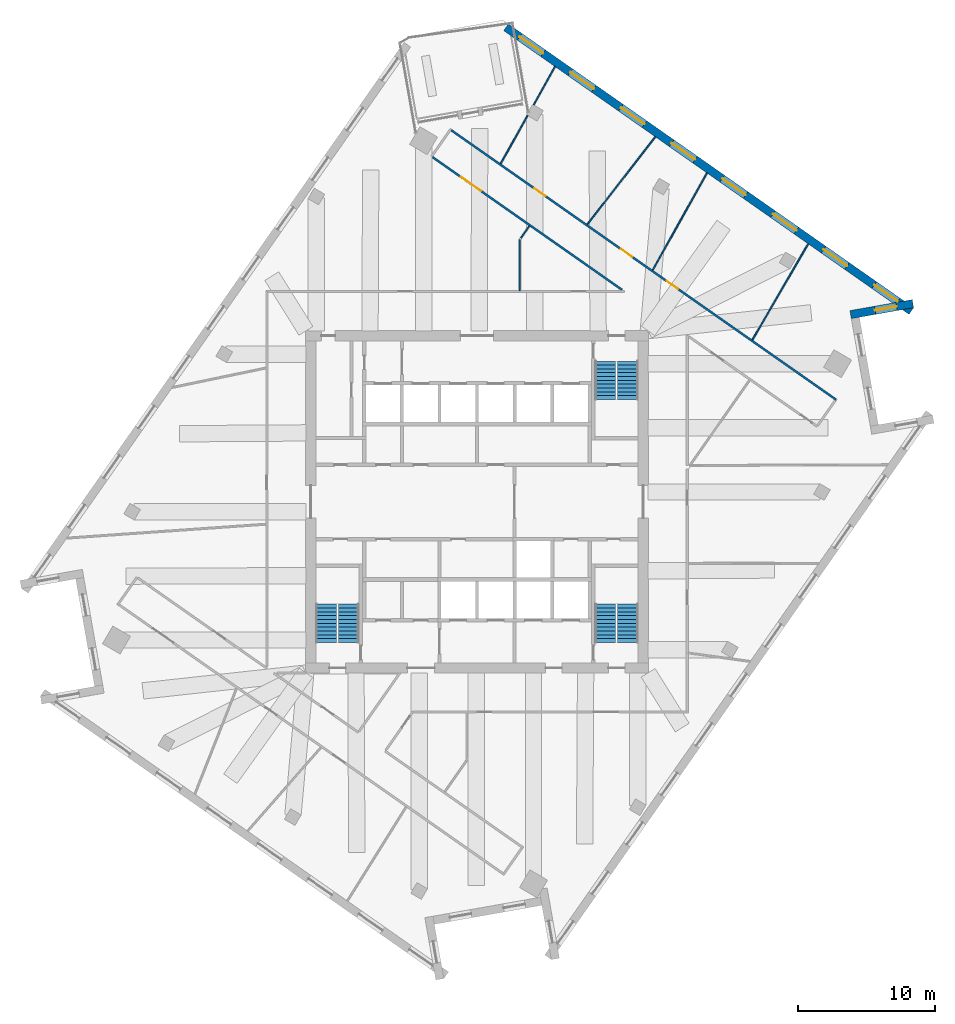
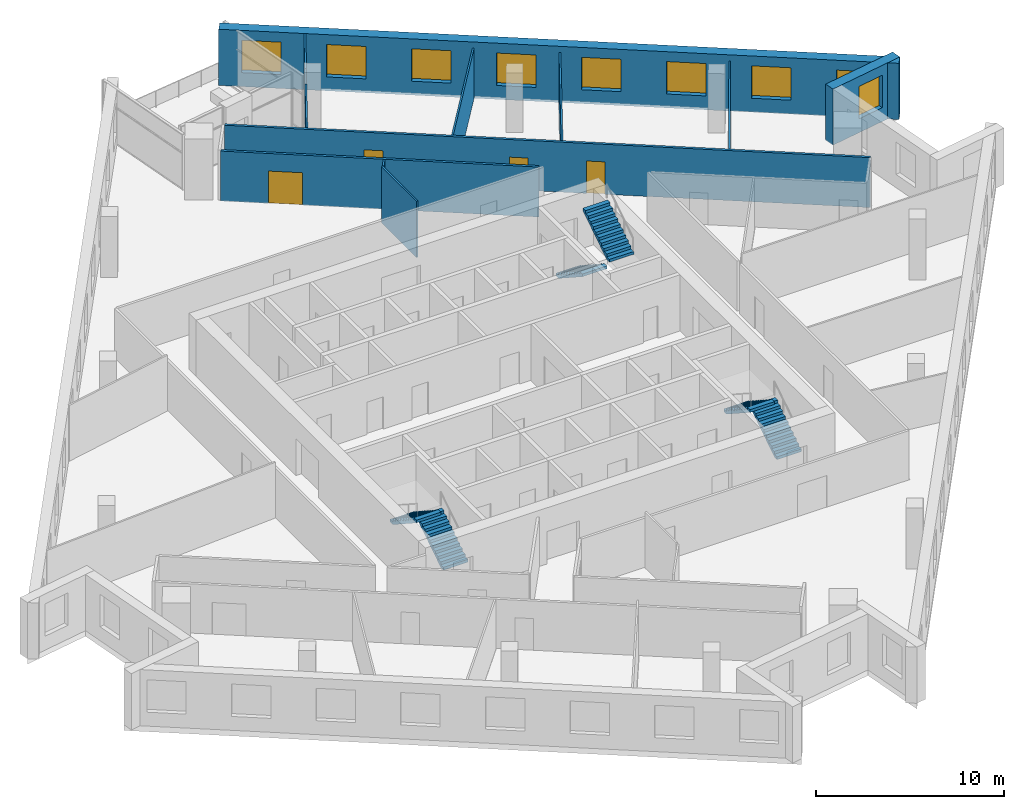
# One storey, part 11 of 13: 11 walls, 9 windows, 6 stair flights, 4 doors, 13 openings, 3 elements without a shape of their own.
"""IFC4 building model written with IfcOpenShell, lengths in metres."""

from ifc_helpers import new_model, si_unit, direction, frame, frame_2d, origin, place, context, subcontext, project, spatial, polyline, rectangle, outline, extrude, material, layer, layer_set, type_object, element, fill, aggregate, save


model = new_model("IFC4")

# Units and contexts
model_context = context("Model", 3, precision=1e-05, world=origin(), true_north=direction((0.0, 1.0)))
body_context = subcontext(model_context, "Body", "Model", "MODEL_VIEW")
ifc_project = project(units=[si_unit("LENGTHUNIT", "METRE"), si_unit("AREAUNIT", "SQUARE_METRE"), si_unit("VOLUMEUNIT", "CUBIC_METRE"), si_unit("PLANEANGLEUNIT", "RADIAN"), si_unit("MASSUNIT", "GRAM", prefix="KILO")], contexts=[model_context])

# Site, building, storey
site_placement = place(None, origin())
site = spatial("IfcSite", under=ifc_project, at=site_placement, CompositionType="ELEMENT")
building_placement = place(site_placement, origin())
building = spatial("IfcBuilding", under=site, at=building_placement, Name="Dilmun Exchange Tower", CompositionType="ELEMENT")
storey_placement = place(building_placement, frame((0.0, 0.0, 242.89990234375)))
storey = spatial("IfcBuildingStorey", under=building, at=storey_placement, Name="L57", CompositionType="ELEMENT", Elevation=242.89990234375)

# Wall, opening, door
ifc_material_1 = material(Name="Corridor wall 150")
ifc_layer_1 = layer(ifc_material_1, 0.14990234375)
ifc_layer_set_1 = layer_set([ifc_layer_1], Name="Corridor wall 150")
wall_type_1 = type_object("IfcWallType", Name="Corridor wall 150", PredefinedType="PARTITIONING", material=ifc_layer_set_1)
wall_1_placement = place(storey_placement, frame((-3.265625, 25.260009765625, 0.0), z_axis=(0.0, 0.0, 1.0), x_axis=(0.819150723298, -0.573578322917, 0.0)))
wall_1 = element("IfcWall", 1, at=wall_1_placement, inside=storey, type_object=wall_type_1, Name="Corridor wall", PredefinedType="PARTITIONING", context=body_context, shape_type="SweptSolid", body=[
    extrude(rectangle(XDim=16.95263671875, YDim=0.14990234375, at=frame_2d((8.476318359375, 0.0))), origin(), (0.0, 0.0, 1.0), 3.239990234375),
])
opening_1_placement = place(wall_1_placement, frame((2.550048828125, 0.0, 0.0)))
opening_1 = element("IfcOpeningElement", 2, at=opening_1_placement, cuts=wall_1, Name="Opening TF57-D07", PredefinedType="OPENING", context=body_context, shape_type="SweptSolid", body=[
    extrude(rectangle(XDim=1.800048828125, YDim=2.10009765625, at=frame_2d((0.89990234375, 1.050048828125))), frame((0.0, 0.0849609375, 0.0), z_axis=(0.0, -1.0, 0.0), x_axis=(1.0, 0.0, 0.0)), (0.0, 0.0, 1.0), 0.169921875),
])
ifc_material_2 = material(Name="Fire door pair 1800 x 2100")
door_type_1 = type_object("IfcDoorType", Name="Fire door pair 1800 x 2100", OperationType="NOTDEFINED", PredefinedType="DOOR", material=ifc_material_2)
door_1_placement = place(opening_1_placement, frame((1.800048828125, 0.0, 0.0), z_axis=(0.0, 0.0, 1.0), x_axis=(-1.0, 0.0, 0.0)))
door_1 = element("IfcDoor", 3, at=door_1_placement, inside=storey, type_object=door_type_1, Name="Door TF57-D07", OperationType="DOUBLE_DOOR_SINGLE_SWING", OverallHeight=2.10009765625, OverallWidth=1.800048828125, PredefinedType="DOOR", context=body_context, shape_type="SweptSolid", body=[
    extrude(rectangle(XDim=1.800048828125, YDim=2.10009765625, at=frame_2d((0.89990234375, 1.050048828125))), frame((0.0, 0.02490234375, 0.0), z_axis=(0.0, -1.0, 0.0), x_axis=(1.0, 0.0, 0.0)), (0.0, 0.0, 1.0), 0.050048828125),
])
fill(opening_1, door_1)

# Wall, openings, doors
wall_2_placement = place(storey_placement, frame((-1.8896484375, 27.22607421875, 0.0), z_axis=(0.0, 0.0, 1.0), x_axis=(0.819163235761, -0.573560452941, 0.0)))
wall_2 = element("IfcWall", 4, at=wall_2_placement, inside=storey, type_object=wall_type_1, Name="Corridor wall", PredefinedType="PARTITIONING", context=body_context, shape_type="SweptSolid", body=[
    extrude(rectangle(XDim=34.403076171875, YDim=0.14990234375, at=frame_2d((17.20166015625, 0.0))), origin(), (0.0, 0.0, 1.0), 3.239990234375),
])
opening_2_placement = place(wall_2_placement, frame((7.427490234375, 0.0, 0.0)))
opening_2 = element("IfcOpeningElement", 5, at=opening_2_placement, cuts=wall_2, Name="Opening TF57-D13", PredefinedType="OPENING", context=body_context, shape_type="SweptSolid", body=[
    extrude(rectangle(XDim=1.0, YDim=2.10009765625, at=frame_2d((0.5, 1.050048828125))), frame((0.0, 0.0849609375, 0.0), z_axis=(0.0, -1.0, 0.0), x_axis=(1.0, 0.0, 0.0)), (0.0, 0.0, 1.0), 0.169921875),
])
opening_3_placement = place(wall_2_placement, frame((15.1728515625, 0.0, 0.0)))
opening_3 = element("IfcOpeningElement", 6, at=opening_3_placement, cuts=wall_2, Name="Opening TF57-D14", PredefinedType="OPENING", context=body_context, shape_type="SweptSolid", body=[
    extrude(rectangle(XDim=1.0, YDim=2.10009765625, at=frame_2d((0.5, 1.050048828125))), frame((0.0, 0.0849609375, 0.0), z_axis=(0.0, -1.0, 0.0), x_axis=(1.0, 0.0, 0.0)), (0.0, 0.0, 1.0), 0.169921875),
])
opening_4_placement = place(wall_2_placement, frame((19.272705078125, 0.0, 0.0)))
opening_4 = element("IfcOpeningElement", 7, at=opening_4_placement, cuts=wall_2, Name="Opening TF57-D16", PredefinedType="OPENING", context=body_context, shape_type="SweptSolid", body=[
    extrude(rectangle(XDim=1.0, YDim=2.10009765625, at=frame_2d((0.5, 1.050048828125))), frame((0.0, 0.0849609375, 0.0), z_axis=(0.0, -1.0, 0.0), x_axis=(1.0, 0.0, 0.0)), (0.0, 0.0, 1.0), 0.169921875),
])
ifc_material_3 = material(Name="Fire door 1000 x 2100")
door_type_2 = type_object("IfcDoorType", Name="Fire door 1000 x 2100", OperationType="NOTDEFINED", PredefinedType="DOOR", material=ifc_material_3)
door_2_placement = place(opening_2_placement, origin())
door_2 = element("IfcDoor", 8, at=door_2_placement, inside=storey, type_object=door_type_2, Name="Door TF57-D13", OperationType="SINGLE_SWING_LEFT", OverallHeight=2.10009765625, OverallWidth=1.0, PredefinedType="DOOR", context=body_context, shape_type="SweptSolid", body=[
    extrude(rectangle(XDim=1.0, YDim=2.10009765625, at=frame_2d((0.5, 1.050048828125))), frame((0.0, 0.02490234375, 0.0), z_axis=(0.0, -1.0, 0.0), x_axis=(1.0, 0.0, 0.0)), (0.0, 0.0, 1.0), 0.050048828125),
])
fill(opening_2, door_2)
door_3_placement = place(opening_3_placement, origin())
door_3 = element("IfcDoor", 9, at=door_3_placement, inside=storey, type_object=door_type_2, Name="Door TF57-D14", OperationType="SINGLE_SWING_RIGHT", OverallHeight=2.10009765625, OverallWidth=1.0, PredefinedType="DOOR", context=body_context, shape_type="SweptSolid", body=[
    extrude(rectangle(XDim=1.0, YDim=2.10009765625, at=frame_2d((0.5, 1.050048828125))), frame((0.0, 0.02490234375, 0.0), z_axis=(0.0, -1.0, 0.0), x_axis=(1.0, 0.0, 0.0)), (0.0, 0.0, 1.0), 0.050048828125),
])
fill(opening_3, door_3)
door_4_placement = place(opening_4_placement, origin())
door_4 = element("IfcDoor", 10, at=door_4_placement, inside=storey, type_object=door_type_2, Name="Door TF57-D16", OperationType="SINGLE_SWING_LEFT", OverallHeight=2.10009765625, OverallWidth=1.0, PredefinedType="DOOR", context=body_context, shape_type="SweptSolid", body=[
    extrude(rectangle(XDim=1.0, YDim=2.10009765625, at=frame_2d((0.5, 1.050048828125))), frame((0.0, 0.02490234375, 0.0), z_axis=(0.0, -1.0, 0.0), x_axis=(1.0, 0.0, 0.0)), (0.0, 0.0, 1.0), 0.050048828125),
])
fill(opening_4, door_4)

# Walls
ifc_material_4 = material(Name="Partition 100")
ifc_layer_2 = layer(ifc_material_4, 0.10009765625)
ifc_layer_set_2 = layer_set([ifc_layer_2], Name="Partition 100")
wall_type_2 = type_object("IfcWallType", Name="Partition 100", PredefinedType="PARTITIONING", material=ifc_layer_set_2)
wall_3_placement = place(storey_placement, frame((1.7392578125, 24.783203125, 0.0), z_axis=(0.0, 0.0, 1.0), x_axis=(0.488204523876, 0.872729249462, 0.0)))
element("IfcWall", 11, at=wall_3_placement, inside=storey, type_object=wall_type_2, Name="Partition", PredefinedType="PARTITIONING", context=body_context, shape_type="SweptSolid", body=[
    extrude(rectangle(XDim=4.026611328125, YDim=0.10009765625, at=frame_2d((2.01318359375, 0.0))), origin(), (0.0, 0.0, 1.0), 3.239990234375),
])
wall_4_placement = place(storey_placement, frame((3.1298828125, 15.47509765625, 0.0), z_axis=(0.0, 0.0, 1.0), x_axis=(0.0, 1.0, 0.0)))
element("IfcWall", 12, at=wall_4_placement, inside=storey, type_object=wall_type_2, Name="Partition", PredefinedType="PARTITIONING", context=body_context, shape_type="SweptSolid", body=[
    extrude(rectangle(XDim=3.73095703125, YDim=0.10009765625, at=frame_2d((1.865478515625, 0.0))), origin(), (0.0, 0.0, 1.0), 3.64013671875),
])
wall_5_placement = place(storey_placement, frame((3.220947265625, 19.336181640625, 0.0), z_axis=(0.0, 0.0, 1.0), x_axis=(0.573214319636, 0.819405481898, 0.0)))
element("IfcWall", 13, at=wall_5_placement, inside=storey, type_object=wall_type_2, Name="Partition", PredefinedType="PARTITIONING", context=body_context, shape_type="SweptSolid", body=[
    extrude(rectangle(XDim=1.05712890625, YDim=0.10009765625, at=frame_2d((0.528564453125, 0.0))), origin(), (0.0, 0.0, 1.0), 3.239990234375),
])
wall_6_placement = place(storey_placement, frame((4.14453125, 29.0830078125, 0.0), z_axis=(0.0, 0.0, 1.0), x_axis=(0.488182285446, 0.872741689263, 0.0)))
element("IfcWall", 14, at=wall_6_placement, inside=storey, type_object=wall_type_2, Name="Partition", PredefinedType="PARTITIONING", context=body_context, shape_type="SweptSolid", body=[
    extrude(rectangle(XDim=3.213623046875, YDim=0.10009765625, at=frame_2d((1.60693359375, 0.0))), origin(), (0.0, 0.0, 1.0), 3.64013671875),
])
wall_7_placement = place(storey_placement, frame((8.088623046875, 20.334228515625, 0.0), z_axis=(0.0, 0.0, 1.0), x_axis=(0.613179783631, 0.789943385912, 0.0)))
element("IfcWall", 15, at=wall_7_placement, inside=storey, type_object=wall_type_2, Name="Partition", PredefinedType="PARTITIONING", context=body_context, shape_type="SweptSolid", body=[
    extrude(rectangle(XDim=8.111572265625, YDim=0.10009765625, at=frame_2d((4.0556640625, 0.0))), origin(), (0.0, 0.0, 1.0), 3.239990234375),
])
wall_8_placement = place(storey_placement, frame((12.876220703125, 16.985107421875, 0.0), z_axis=(0.0, 0.0, 1.0), x_axis=(0.487744732035, 0.872986297929, 0.0)))
element("IfcWall", 16, at=wall_8_placement, inside=storey, type_object=wall_type_2, Name="Partition", PredefinedType="PARTITIONING", context=body_context, shape_type="SweptSolid", body=[
    extrude(rectangle(XDim=8.140869140625, YDim=0.10009765625, at=frame_2d((4.0703125, 0.0))), origin(), (0.0, 0.0, 1.0), 3.239990234375),
])
wall_9_placement = place(storey_placement, frame((20.177001953125, 11.872802734375, 0.0), z_axis=(0.0, 0.0, 1.0), x_axis=(0.502475319919, 0.864591552626, 0.0)))
element("IfcWall", 17, at=wall_9_placement, inside=storey, type_object=wall_type_2, Name="Partition", PredefinedType="PARTITIONING", context=body_context, shape_type="SweptSolid", body=[
    extrude(rectangle(XDim=8.128173828125, YDim=0.10009765625, at=frame_2d((4.06396484375, 0.0))), origin(), (0.0, 0.0, 1.0), 3.239990234375),
])

# Wall, opening, window
ifc_material_5 = material(Name="Precast concrete C50/60", Category="concrete")
ifc_layer_3 = layer(ifc_material_5, 0.60009765625)
ifc_layer_set_3 = layer_set([ifc_layer_3], Name="Precast concrete C50/60")
wall_type_3 = type_object("IfcWallType", Name="Precast stone-clad wall 600", PredefinedType="STANDARD", material=ifc_layer_set_3)
wall_10_placement = place(storey_placement, frame((27.3701171875, 13.7158203125, 0.0), z_axis=(0.0, 0.0, 1.0), x_axis=(0.984799990421, 0.173692195754, 0.0)))
wall_10 = element("IfcWall", 18, at=wall_10_placement, inside=storey, type_object=wall_type_3, Name="Facade wall L57-14", PredefinedType="STANDARD", context=body_context, shape_type="SweptSolid", body=[
    extrude(rectangle(XDim=4.6357421875, YDim=0.60009765625, at=frame_2d((2.31787109375, 0.0))), origin(), (0.0, 0.0, 1.0), 3.64013671875),
])
opening_5_placement = place(wall_10_placement, frame((1.81787109375, 0.0, 0.89990234375)))
opening_5 = element("IfcOpeningElement", 19, at=opening_5_placement, cuts=wall_10, Name="Opening W160-210", PredefinedType="OPENING", context=body_context, shape_type="SweptSolid", body=[
    extrude(rectangle(XDim=1.60009765625, YDim=2.10009765625, at=frame_2d((0.800048828125, 1.050048828125))), frame((0.0, 0.31005859375, 0.0), z_axis=(0.0, -1.0, 0.0), x_axis=(1.0, 0.0, 0.0)), (0.0, 0.0, 1.0), 0.6201171875),
])
ifc_material_6 = material(Name="Clear low-emissivity glass in aluminium frame", Category="aluminium")
window_type_1 = type_object("IfcWindowType", Name="Punched window 1600 x 2100", PartitioningType="DOUBLE_PANEL_VERTICAL", PredefinedType="WINDOW", material=ifc_material_6)
window_1_placement = place(opening_5_placement, origin())
window_1 = element("IfcWindow", 20, at=window_1_placement, inside=storey, type_object=window_type_1, Name="Window 15.1", OverallHeight=2.10009765625, OverallWidth=1.60009765625, PartitioningType="SINGLE_PANEL", PredefinedType="WINDOW", context=body_context, shape_type="SweptSolid", body=[
    extrude(rectangle(XDim=1.60009765625, YDim=2.10009765625, at=frame_2d((0.800048828125, 1.050048828125))), frame((0.0, 0.030029296875, 0.0), z_axis=(0.0, -1.0, 0.0), x_axis=(1.0, 0.0, 0.0)), (0.0, 0.0, 1.0), 0.06005859375),
])
fill(opening_5, window_1)

# Wall, openings, windows
wall_11_placement = place(storey_placement, frame((31.815185546875, 13.979736328125, 0.0), z_axis=(0.0, 0.0, 1.0), x_axis=(-0.819152162902, 0.573576266955, 0.0)))
wall_11 = element("IfcWall", 21, at=wall_11_placement, inside=storey, type_object=wall_type_3, Name="Facade wall L57-15", PredefinedType="STANDARD", context=body_context, shape_type="SweptSolid", body=[
    extrude(rectangle(XDim=36.242919921875, YDim=0.60009765625, at=frame_2d((18.12158203125, 0.0))), origin(), (0.0, 0.0, 1.0), 3.64013671875),
])
opening_6_placement = place(wall_11_placement, frame((1.215087890625, 0.0, 0.89990234375)))
opening_6 = element("IfcOpeningElement", 22, at=opening_6_placement, cuts=wall_11, Name="Opening W210-210", PredefinedType="OPENING", context=body_context, shape_type="SweptSolid", body=[
    extrude(rectangle(XDim=2.10009765625, YDim=2.10009765625, at=frame_2d((1.050048828125, 1.050048828125))), frame((0.0, 0.31005859375, 0.0), z_axis=(0.0, -1.0, 0.0), x_axis=(1.0, 0.0, 0.0)), (0.0, 0.0, 1.0), 0.6201171875),
])
opening_7_placement = place(wall_11_placement, frame((5.74560546875, 0.0, 0.89990234375)))
opening_7 = element("IfcOpeningElement", 23, at=opening_7_placement, cuts=wall_11, Name="Opening W210-210", PredefinedType="OPENING", context=body_context, shape_type="SweptSolid", body=[
    extrude(rectangle(XDim=2.10009765625, YDim=2.10009765625, at=frame_2d((1.050048828125, 1.050048828125))), frame((0.0, 0.31005859375, 0.0), z_axis=(0.0, -1.0, 0.0), x_axis=(1.0, 0.0, 0.0)), (0.0, 0.0, 1.0), 0.6201171875),
])
opening_8_placement = place(wall_11_placement, frame((10.27587890625, 0.0, 0.89990234375)))
opening_8 = element("IfcOpeningElement", 24, at=opening_8_placement, cuts=wall_11, Name="Opening W210-210", PredefinedType="OPENING", context=body_context, shape_type="SweptSolid", body=[
    extrude(rectangle(XDim=2.10009765625, YDim=2.10009765625, at=frame_2d((1.050048828125, 1.050048828125))), frame((0.0, 0.31005859375, 0.0), z_axis=(0.0, -1.0, 0.0), x_axis=(1.0, 0.0, 0.0)), (0.0, 0.0, 1.0), 0.6201171875),
])
opening_9_placement = place(wall_11_placement, frame((14.806396484375, 0.0, 0.89990234375)))
opening_9 = element("IfcOpeningElement", 25, at=opening_9_placement, cuts=wall_11, Name="Opening W210-210", PredefinedType="OPENING", context=body_context, shape_type="SweptSolid", body=[
    extrude(rectangle(XDim=2.10009765625, YDim=2.10009765625, at=frame_2d((1.050048828125, 1.050048828125))), frame((0.0, 0.31005859375, 0.0), z_axis=(0.0, -1.0, 0.0), x_axis=(1.0, 0.0, 0.0)), (0.0, 0.0, 1.0), 0.6201171875),
])
opening_10_placement = place(wall_11_placement, frame((19.3369140625, 0.0, 0.89990234375)))
opening_10 = element("IfcOpeningElement", 26, at=opening_10_placement, cuts=wall_11, Name="Opening W210-210", PredefinedType="OPENING", context=body_context, shape_type="SweptSolid", body=[
    extrude(rectangle(XDim=2.10009765625, YDim=2.10009765625, at=frame_2d((1.050048828125, 1.050048828125))), frame((0.0, 0.31005859375, 0.0), z_axis=(0.0, -1.0, 0.0), x_axis=(1.0, 0.0, 0.0)), (0.0, 0.0, 1.0), 0.6201171875),
])
opening_11_placement = place(wall_11_placement, frame((23.8671875, 0.0, 0.89990234375)))
opening_11 = element("IfcOpeningElement", 27, at=opening_11_placement, cuts=wall_11, Name="Opening W210-210", PredefinedType="OPENING", context=body_context, shape_type="SweptSolid", body=[
    extrude(rectangle(XDim=2.10009765625, YDim=2.10009765625, at=frame_2d((1.050048828125, 1.050048828125))), frame((0.0, 0.31005859375, 0.0), z_axis=(0.0, -1.0, 0.0), x_axis=(1.0, 0.0, 0.0)), (0.0, 0.0, 1.0), 0.6201171875),
])
opening_12_placement = place(wall_11_placement, frame((28.397705078125, 0.0, 0.89990234375)))
opening_12 = element("IfcOpeningElement", 28, at=opening_12_placement, cuts=wall_11, Name="Opening W210-210", PredefinedType="OPENING", context=body_context, shape_type="SweptSolid", body=[
    extrude(rectangle(XDim=2.10009765625, YDim=2.10009765625, at=frame_2d((1.050048828125, 1.050048828125))), frame((0.0, 0.31005859375, 0.0), z_axis=(0.0, -1.0, 0.0), x_axis=(1.0, 0.0, 0.0)), (0.0, 0.0, 1.0), 0.6201171875),
])
opening_13_placement = place(wall_11_placement, frame((32.927978515625, 0.0, 0.89990234375)))
opening_13 = element("IfcOpeningElement", 29, at=opening_13_placement, cuts=wall_11, Name="Opening W210-210", PredefinedType="OPENING", context=body_context, shape_type="SweptSolid", body=[
    extrude(rectangle(XDim=2.10009765625, YDim=2.10009765625, at=frame_2d((1.050048828125, 1.050048828125))), frame((0.0, 0.31005859375, 0.0), z_axis=(0.0, -1.0, 0.0), x_axis=(1.0, 0.0, 0.0)), (0.0, 0.0, 1.0), 0.6201171875),
])
window_type_2 = type_object("IfcWindowType", Name="Punched window 2100 x 2100", PartitioningType="DOUBLE_PANEL_VERTICAL", PredefinedType="WINDOW", material=ifc_material_6)
window_2_placement = place(opening_6_placement, origin())
window_2 = element("IfcWindow", 30, at=window_2_placement, inside=storey, type_object=window_type_2, Name="Window 16.1", OverallHeight=2.10009765625, OverallWidth=2.10009765625, PartitioningType="SINGLE_PANEL", PredefinedType="WINDOW", context=body_context, shape_type="SweptSolid", body=[
    extrude(rectangle(XDim=2.10009765625, YDim=2.10009765625, at=frame_2d((1.050048828125, 1.050048828125))), frame((0.0, 0.030029296875, 0.0), z_axis=(0.0, -1.0, 0.0), x_axis=(1.0, 0.0, 0.0)), (0.0, 0.0, 1.0), 0.06005859375),
])
fill(opening_6, window_2)
window_3_placement = place(opening_7_placement, origin())
window_3 = element("IfcWindow", 31, at=window_3_placement, inside=storey, type_object=window_type_2, Name="Window 16.2", OverallHeight=2.10009765625, OverallWidth=2.10009765625, PartitioningType="SINGLE_PANEL", PredefinedType="WINDOW", context=body_context, shape_type="SweptSolid", body=[
    extrude(rectangle(XDim=2.10009765625, YDim=2.10009765625, at=frame_2d((1.050048828125, 1.050048828125))), frame((0.0, 0.030029296875, 0.0), z_axis=(0.0, -1.0, 0.0), x_axis=(1.0, 0.0, 0.0)), (0.0, 0.0, 1.0), 0.06005859375),
])
fill(opening_7, window_3)
window_4_placement = place(opening_8_placement, origin())
window_4 = element("IfcWindow", 32, at=window_4_placement, inside=storey, type_object=window_type_2, Name="Window 16.3", OverallHeight=2.10009765625, OverallWidth=2.10009765625, PartitioningType="SINGLE_PANEL", PredefinedType="WINDOW", context=body_context, shape_type="SweptSolid", body=[
    extrude(rectangle(XDim=2.10009765625, YDim=2.10009765625, at=frame_2d((1.050048828125, 1.050048828125))), frame((0.0, 0.030029296875, 0.0), z_axis=(0.0, -1.0, 0.0), x_axis=(1.0, 0.0, 0.0)), (0.0, 0.0, 1.0), 0.06005859375),
])
fill(opening_8, window_4)
window_5_placement = place(opening_9_placement, origin())
window_5 = element("IfcWindow", 33, at=window_5_placement, inside=storey, type_object=window_type_2, Name="Window 16.4", OverallHeight=2.10009765625, OverallWidth=2.10009765625, PartitioningType="SINGLE_PANEL", PredefinedType="WINDOW", context=body_context, shape_type="SweptSolid", body=[
    extrude(rectangle(XDim=2.10009765625, YDim=2.10009765625, at=frame_2d((1.050048828125, 1.050048828125))), frame((0.0, 0.030029296875, 0.0), z_axis=(0.0, -1.0, 0.0), x_axis=(1.0, 0.0, 0.0)), (0.0, 0.0, 1.0), 0.06005859375),
])
fill(opening_9, window_5)
window_6_placement = place(opening_10_placement, origin())
window_6 = element("IfcWindow", 34, at=window_6_placement, inside=storey, type_object=window_type_2, Name="Window 16.5", OverallHeight=2.10009765625, OverallWidth=2.10009765625, PartitioningType="SINGLE_PANEL", PredefinedType="WINDOW", context=body_context, shape_type="SweptSolid", body=[
    extrude(rectangle(XDim=2.10009765625, YDim=2.10009765625, at=frame_2d((1.050048828125, 1.050048828125))), frame((0.0, 0.030029296875, 0.0), z_axis=(0.0, -1.0, 0.0), x_axis=(1.0, 0.0, 0.0)), (0.0, 0.0, 1.0), 0.06005859375),
])
fill(opening_10, window_6)
window_7_placement = place(opening_11_placement, origin())
window_7 = element("IfcWindow", 35, at=window_7_placement, inside=storey, type_object=window_type_2, Name="Window 16.6", OverallHeight=2.10009765625, OverallWidth=2.10009765625, PartitioningType="SINGLE_PANEL", PredefinedType="WINDOW", context=body_context, shape_type="SweptSolid", body=[
    extrude(rectangle(XDim=2.10009765625, YDim=2.10009765625, at=frame_2d((1.050048828125, 1.050048828125))), frame((0.0, 0.030029296875, 0.0), z_axis=(0.0, -1.0, 0.0), x_axis=(1.0, 0.0, 0.0)), (0.0, 0.0, 1.0), 0.06005859375),
])
fill(opening_11, window_7)
window_8_placement = place(opening_12_placement, origin())
window_8 = element("IfcWindow", 36, at=window_8_placement, inside=storey, type_object=window_type_2, Name="Window 16.7", OverallHeight=2.10009765625, OverallWidth=2.10009765625, PartitioningType="SINGLE_PANEL", PredefinedType="WINDOW", context=body_context, shape_type="SweptSolid", body=[
    extrude(rectangle(XDim=2.10009765625, YDim=2.10009765625, at=frame_2d((1.050048828125, 1.050048828125))), frame((0.0, 0.030029296875, 0.0), z_axis=(0.0, -1.0, 0.0), x_axis=(1.0, 0.0, 0.0)), (0.0, 0.0, 1.0), 0.06005859375),
])
fill(opening_12, window_8)
window_9_placement = place(opening_13_placement, origin())
window_9 = element("IfcWindow", 37, at=window_9_placement, inside=storey, type_object=window_type_2, Name="Window 16.8", OverallHeight=2.10009765625, OverallWidth=2.10009765625, PartitioningType="SINGLE_PANEL", PredefinedType="WINDOW", context=body_context, shape_type="SweptSolid", body=[
    extrude(rectangle(XDim=2.10009765625, YDim=2.10009765625, at=frame_2d((1.050048828125, 1.050048828125))), frame((0.0, 0.030029296875, 0.0), z_axis=(0.0, -1.0, 0.0), x_axis=(1.0, 0.0, 0.0)), (0.0, 0.0, 1.0), 0.06005859375),
])
fill(opening_13, window_9)

# Stair, stair flights
ifc_material_7 = material(Name="Concrete C40/50", Category="concrete")
stair_type = type_object("IfcStairType", Name="Exit stair 1500 half-turn", PredefinedType="HALF_TURN_STAIR", material=ifc_material_7)
stair_1_placement = place(storey_placement, origin())
stair_1 = element("IfcStair", 38, at=stair_1_placement, inside=storey, type_object=stair_type, Name="L57 Protected exit stair ST1", PredefinedType="HALF_TURN_STAIR")
stair_flight_type = type_object("IfcStairFlightType", Name="Exit stair flight 1500", PredefinedType="STRAIGHT", material=ifc_material_7)
stair_flight_1_placement = place(storey_placement, frame((9.39990234375, 10.300048828125, 0.0), z_axis=(0.0, 0.0, 1.0), x_axis=(0.0, -1.0, 0.0)))
stair_flight_1 = element("IfcStairFlight", 39, at=stair_flight_1_placement, type_object=stair_flight_type, Name="ST1 flight 1", NumberOfRisers=11, NumberOfTreads=10, PredefinedType="STRAIGHT", RiserHeight=0.181818182, TreadLength=0.28, context=body_context, shape_type="SweptSolid", body=[
    extrude(outline(polyline([(0.0, 0.0), (0.0, 0.181884765625), (0.280029296875, 0.181884765625), (0.280029296875, 0.363525390625), (0.56005859375, 0.363525390625), (0.56005859375, 0.54541015625), (0.840087890625, 0.54541015625), (0.840087890625, 0.727294921875), (1.1201171875, 0.727294921875), (1.1201171875, 0.9091796875), (1.39990234375, 0.9091796875), (1.39990234375, 1.0908203125), (1.679931640625, 1.0908203125), (1.679931640625, 1.272705078125), (1.9599609375, 1.272705078125), (1.9599609375, 1.45458984375), (2.239990234375, 1.45458984375), (2.239990234375, 1.636474609375), (2.52001953125, 1.636474609375), (2.52001953125, 1.818115234375), (2.800048828125, 1.818115234375), (2.800048828125, 2.0), (2.800048828125, 1.639404296875), (0.275146484375, 0.0), (0.0, 0.0)])), frame((0.0, 0.75, 0.0), z_axis=(0.0, -1.0, 0.0), x_axis=(1.0, 0.0, 0.0)), (0.0, 0.0, 1.0), 1.5),
])
stair_flight_2_placement = place(storey_placement, frame((11.050048828125, 7.5, 2.0), z_axis=(0.0, 0.0, 1.0), x_axis=(0.0, 1.0, 0.0)))
stair_flight_2 = element("IfcStairFlight", 40, at=stair_flight_2_placement, type_object=stair_flight_type, Name="ST1 flight 2", NumberOfRisers=11, NumberOfTreads=10, PredefinedType="STRAIGHT", RiserHeight=0.181818182, TreadLength=0.28, context=body_context, shape_type="SweptSolid", body=[
    extrude(outline(polyline([(0.0, 0.0), (0.0, 0.181884765625), (0.280029296875, 0.181884765625), (0.280029296875, 0.363525390625), (0.56005859375, 0.363525390625), (0.56005859375, 0.54541015625), (0.840087890625, 0.54541015625), (0.840087890625, 0.727294921875), (1.1201171875, 0.727294921875), (1.1201171875, 0.9091796875), (1.39990234375, 0.9091796875), (1.39990234375, 1.0908203125), (1.679931640625, 1.0908203125), (1.679931640625, 1.272705078125), (1.9599609375, 1.272705078125), (1.9599609375, 1.45458984375), (2.239990234375, 1.45458984375), (2.239990234375, 1.636474609375), (2.52001953125, 1.636474609375), (2.52001953125, 1.818115234375), (2.800048828125, 1.818115234375), (2.800048828125, 2.0), (2.800048828125, 1.639404296875), (0.275146484375, 0.0), (0.0, 0.0)])), frame((0.0, 0.75, 0.0), z_axis=(0.0, -1.0, 0.0), x_axis=(1.0, 0.0, 0.0)), (0.0, 0.0, 1.0), 1.5),
])
aggregate(stair_1, [stair_flight_1, stair_flight_2])

stair_2_placement = place(storey_placement, origin())
stair_2 = element("IfcStair", 41, at=stair_2_placement, inside=storey, type_object=stair_type, Name="L57 Protected exit stair ST2", PredefinedType="HALF_TURN_STAIR")
stair_flight_3_placement = place(storey_placement, frame((-9.39990234375, -10.300048828125, 0.0), z_axis=(0.0, 0.0, 1.0), x_axis=(0.0, 1.0, 0.0)))
stair_flight_3 = element("IfcStairFlight", 42, at=stair_flight_3_placement, type_object=stair_flight_type, Name="ST2 flight 1", NumberOfRisers=11, NumberOfTreads=10, PredefinedType="STRAIGHT", RiserHeight=0.181818182, TreadLength=0.28, context=body_context, shape_type="SweptSolid", body=[
    extrude(outline(polyline([(0.0, 0.0), (0.0, 0.181884765625), (0.280029296875, 0.181884765625), (0.280029296875, 0.363525390625), (0.56005859375, 0.363525390625), (0.56005859375, 0.54541015625), (0.840087890625, 0.54541015625), (0.840087890625, 0.727294921875), (1.1201171875, 0.727294921875), (1.1201171875, 0.9091796875), (1.39990234375, 0.9091796875), (1.39990234375, 1.0908203125), (1.679931640625, 1.0908203125), (1.679931640625, 1.272705078125), (1.9599609375, 1.272705078125), (1.9599609375, 1.45458984375), (2.239990234375, 1.45458984375), (2.239990234375, 1.636474609375), (2.52001953125, 1.636474609375), (2.52001953125, 1.818115234375), (2.800048828125, 1.818115234375), (2.800048828125, 2.0), (2.800048828125, 1.639404296875), (0.275146484375, 0.0), (0.0, 0.0)])), frame((0.0, 0.75, 0.0), z_axis=(0.0, -1.0, 0.0), x_axis=(1.0, 0.0, 0.0)), (0.0, 0.0, 1.0), 1.5),
])
stair_flight_4_placement = place(storey_placement, frame((-11.050048828125, -7.5, 2.0), z_axis=(0.0, 0.0, 1.0), x_axis=(0.0, -1.0, 0.0)))
stair_flight_4 = element("IfcStairFlight", 43, at=stair_flight_4_placement, type_object=stair_flight_type, Name="ST2 flight 2", NumberOfRisers=11, NumberOfTreads=10, PredefinedType="STRAIGHT", RiserHeight=0.181818182, TreadLength=0.28, context=body_context, shape_type="SweptSolid", body=[
    extrude(outline(polyline([(0.0, 0.0), (0.0, 0.181884765625), (0.280029296875, 0.181884765625), (0.280029296875, 0.363525390625), (0.56005859375, 0.363525390625), (0.56005859375, 0.54541015625), (0.840087890625, 0.54541015625), (0.840087890625, 0.727294921875), (1.1201171875, 0.727294921875), (1.1201171875, 0.9091796875), (1.39990234375, 0.9091796875), (1.39990234375, 1.0908203125), (1.679931640625, 1.0908203125), (1.679931640625, 1.272705078125), (1.9599609375, 1.272705078125), (1.9599609375, 1.45458984375), (2.239990234375, 1.45458984375), (2.239990234375, 1.636474609375), (2.52001953125, 1.636474609375), (2.52001953125, 1.818115234375), (2.800048828125, 1.818115234375), (2.800048828125, 2.0), (2.800048828125, 1.639404296875), (0.275146484375, 0.0), (0.0, 0.0)])), frame((0.0, 0.75, 0.0), z_axis=(0.0, -1.0, 0.0), x_axis=(1.0, 0.0, 0.0)), (0.0, 0.0, 1.0), 1.5),
])
aggregate(stair_2, [stair_flight_3, stair_flight_4])

stair_3_placement = place(storey_placement, origin())
stair_3 = element("IfcStair", 44, at=stair_3_placement, inside=storey, type_object=stair_type, Name="L57 Protected exit stair ST3", PredefinedType="HALF_TURN_STAIR")
stair_flight_5_placement = place(storey_placement, frame((11.050048828125, -10.300048828125, 0.0), z_axis=(0.0, 0.0, 1.0), x_axis=(0.0, 1.0, 0.0)))
stair_flight_5 = element("IfcStairFlight", 45, at=stair_flight_5_placement, type_object=stair_flight_type, Name="ST3 flight 1", NumberOfRisers=11, NumberOfTreads=10, PredefinedType="STRAIGHT", RiserHeight=0.181818182, TreadLength=0.28, context=body_context, shape_type="SweptSolid", body=[
    extrude(outline(polyline([(0.0, 0.0), (0.0, 0.181884765625), (0.280029296875, 0.181884765625), (0.280029296875, 0.363525390625), (0.56005859375, 0.363525390625), (0.56005859375, 0.54541015625), (0.840087890625, 0.54541015625), (0.840087890625, 0.727294921875), (1.1201171875, 0.727294921875), (1.1201171875, 0.9091796875), (1.39990234375, 0.9091796875), (1.39990234375, 1.0908203125), (1.679931640625, 1.0908203125), (1.679931640625, 1.272705078125), (1.9599609375, 1.272705078125), (1.9599609375, 1.45458984375), (2.239990234375, 1.45458984375), (2.239990234375, 1.636474609375), (2.52001953125, 1.636474609375), (2.52001953125, 1.818115234375), (2.800048828125, 1.818115234375), (2.800048828125, 2.0), (2.800048828125, 1.639404296875), (0.275146484375, 0.0), (0.0, 0.0)])), frame((0.0, 0.75, 0.0), z_axis=(0.0, -1.0, 0.0), x_axis=(1.0, 0.0, 0.0)), (0.0, 0.0, 1.0), 1.5),
])
stair_flight_6_placement = place(storey_placement, frame((9.39990234375, -7.5, 2.0), z_axis=(0.0, 0.0, 1.0), x_axis=(0.0, -1.0, 0.0)))
stair_flight_6 = element("IfcStairFlight", 46, at=stair_flight_6_placement, type_object=stair_flight_type, Name="ST3 flight 2", NumberOfRisers=11, NumberOfTreads=10, PredefinedType="STRAIGHT", RiserHeight=0.181818182, TreadLength=0.28, context=body_context, shape_type="SweptSolid", body=[
    extrude(outline(polyline([(0.0, 0.0), (0.0, 0.181884765625), (0.280029296875, 0.181884765625), (0.280029296875, 0.363525390625), (0.56005859375, 0.363525390625), (0.56005859375, 0.54541015625), (0.840087890625, 0.54541015625), (0.840087890625, 0.727294921875), (1.1201171875, 0.727294921875), (1.1201171875, 0.9091796875), (1.39990234375, 0.9091796875), (1.39990234375, 1.0908203125), (1.679931640625, 1.0908203125), (1.679931640625, 1.272705078125), (1.9599609375, 1.272705078125), (1.9599609375, 1.45458984375), (2.239990234375, 1.45458984375), (2.239990234375, 1.636474609375), (2.52001953125, 1.636474609375), (2.52001953125, 1.818115234375), (2.800048828125, 1.818115234375), (2.800048828125, 2.0), (2.800048828125, 1.639404296875), (0.275146484375, 0.0), (0.0, 0.0)])), frame((0.0, 0.75, 0.0), z_axis=(0.0, -1.0, 0.0), x_axis=(1.0, 0.0, 0.0)), (0.0, 0.0, 1.0), 1.5),
])
aggregate(stair_3, [stair_flight_5, stair_flight_6])

save(model, "model.ifc")
